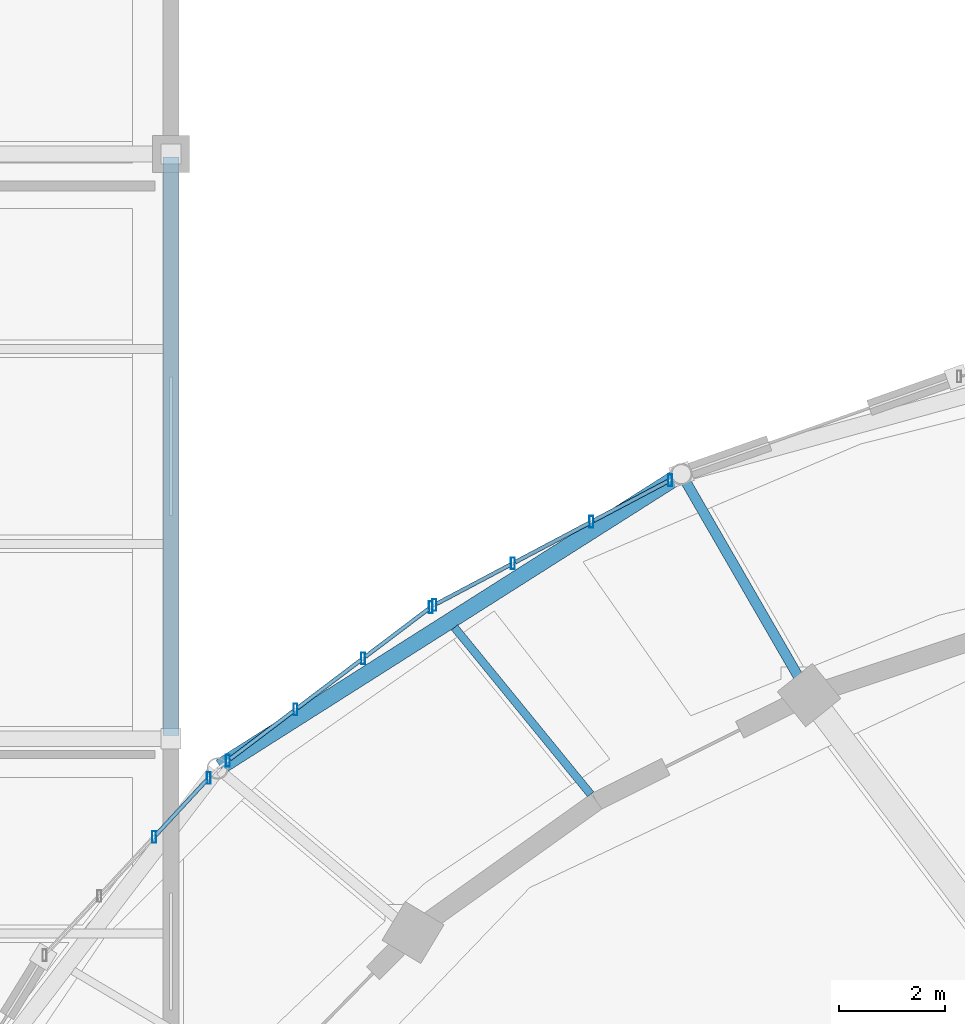
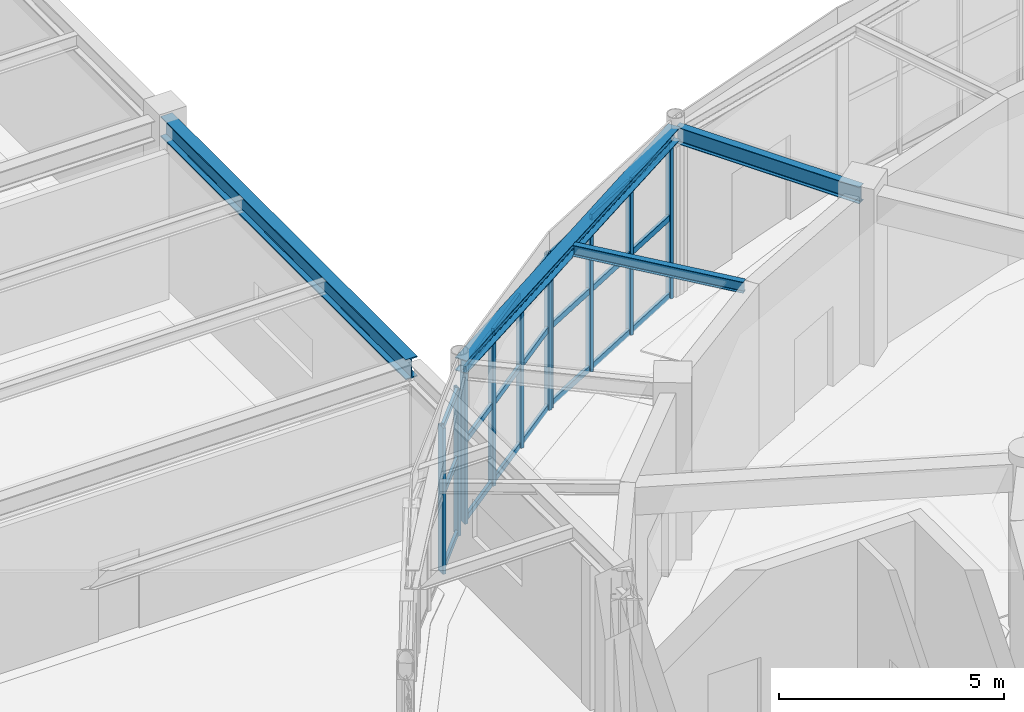
# One storey, part 51 of 108: 31 members, 4 beams, 3 elements without a shape of their own.
"""IFC4 building model written with IfcOpenShell, lengths in metres."""

from ifc_helpers import new_model, si_unit, direction, frame, origin, origin_2d, place, context, subcontext, project, spatial, hollow_rectangle, i_section, extrude, material, material_profile, profile_set, type_object, element, aggregate, save


model = new_model("IFC4")

# Units and contexts
model_context = context("Model", 3, precision=1e-05, world=origin(), true_north=direction((0.0, 1.0)))
body_context = subcontext(model_context, "Body", "Model", "MODEL_VIEW")
ifc_project = project(units=[si_unit("LENGTHUNIT", "METRE"), si_unit("AREAUNIT", "SQUARE_METRE"), si_unit("VOLUMEUNIT", "CUBIC_METRE"), si_unit("PLANEANGLEUNIT", "RADIAN"), si_unit("MASSUNIT", "GRAM", prefix="KILO")], contexts=[model_context])

# Site, building, storey
site_placement = place(None, origin())
site = spatial("IfcSite", under=ifc_project, at=site_placement, CompositionType="ELEMENT")
building_placement = place(site_placement, origin())
building = spatial("IfcBuilding", under=site, at=building_placement, Name="Tarnveldt Headland Concert Hall", CompositionType="ELEMENT")
storey_placement = place(building_placement, origin())
storey = spatial("IfcBuildingStorey", under=building, at=storey_placement, Name="L00", CompositionType="ELEMENT", Elevation=0.0)

# Curtain wall, members
ifc_material_1 = material(Name="Marine-anodised aluminium EN AW-6063-T6", Category="aluminium")
curtain_wall_type = type_object("IfcCurtainWallType", Name="CW-F1", PredefinedType="NOTDEFINED", material=ifc_material_1)
curtain_wall_1_placement = place(storey_placement, origin())
curtain_wall_1 = element("IfcCurtainWall", 1, at=curtain_wall_1_placement, inside=storey, type_object=curtain_wall_type, Name="Curtain wall CW-L00-010", PredefinedType="NOTDEFINED")
ifc_material_profile_1 = material_profile(ifc_material_1, hollow_rectangle(XDim=0.074951171875, YDim=0.219970703125, WallThickness=0.0048828125, at=origin_2d()), Name="ALU MULLION 75x220x5", Category="aluminium")
ifc_profile_set_1 = profile_set([ifc_material_profile_1], Name="Marine-anodised aluminium EN AW-6063-T6")
member_type_1 = type_object("IfcMemberType", Name="ML-200", PredefinedType="MULLION", material=ifc_profile_set_1)
member_1_placement = place(storey_placement, frame((66.885009765625, 75.863525390625, 0.0), z_axis=(0.0, 0.0, 1.0), x_axis=(1.0, 0.0, 0.0)))
member_1 = element("IfcMember", 2, at=member_1_placement, type_object=member_type_1, Name="Mullion CW-L00-010-1", PredefinedType="MULLION", context=body_context, shape_type="SweptSolid", body=[
    extrude(hollow_rectangle(XDim=0.074951171875, YDim=0.219970703125, WallThickness=0.0048828125, at=origin_2d()), origin(), (0.0, 0.0, 1.0), 4.139892578125),
])
member_2_placement = place(storey_placement, frame((65.407470703125, 75.081298828125, 0.0), z_axis=(0.0, 0.0, 1.0), x_axis=(1.0, 0.0, 0.0)))
member_2 = element("IfcMember", 3, at=member_2_placement, type_object=member_type_1, Name="Mullion CW-L00-010-2", PredefinedType="MULLION", context=body_context, shape_type="SweptSolid", body=[
    extrude(hollow_rectangle(XDim=0.074951171875, YDim=0.219970703125, WallThickness=0.0048828125, at=origin_2d()), origin(), (0.0, 0.0, 1.0), 4.139892578125),
])
member_3_placement = place(storey_placement, frame((63.9296875, 74.298828125, 0.0), z_axis=(0.0, 0.0, 1.0), x_axis=(1.0, 0.0, 0.0)))
member_3 = element("IfcMember", 4, at=member_3_placement, type_object=member_type_1, Name="Mullion CW-L00-010-3", PredefinedType="MULLION", context=body_context, shape_type="SweptSolid", body=[
    extrude(hollow_rectangle(XDim=0.074951171875, YDim=0.219970703125, WallThickness=0.0048828125, at=origin_2d()), origin(), (0.0, 0.0, 1.0), 4.139892578125),
])
member_4_placement = place(storey_placement, frame((62.451904296875, 73.5166015625, 0.0), z_axis=(0.0, 0.0, 1.0), x_axis=(1.0, 0.0, 0.0)))
member_4 = element("IfcMember", 5, at=member_4_placement, type_object=member_type_1, Name="Mullion CW-L00-010-4", PredefinedType="MULLION", context=body_context, shape_type="SweptSolid", body=[
    extrude(hollow_rectangle(XDim=0.074951171875, YDim=0.219970703125, WallThickness=0.0048828125, at=origin_2d()), origin(), (0.0, 0.0, 1.0), 4.139892578125),
])

curtain_wall_2_placement = place(storey_placement, origin())
curtain_wall_2 = element("IfcCurtainWall", 6, at=curtain_wall_2_placement, inside=storey, type_object=curtain_wall_type, Name="Curtain wall CW-L00-011", PredefinedType="NOTDEFINED")
member_5_placement = place(storey_placement, frame((62.384765625, 73.473876953125, 0.0), z_axis=(0.0, 0.0, 1.0), x_axis=(1.0, 0.0, 0.0)))
member_5 = element("IfcMember", 7, at=member_5_placement, type_object=member_type_1, Name="Mullion CW-L00-011-1", PredefinedType="MULLION", context=body_context, shape_type="SweptSolid", body=[
    extrude(hollow_rectangle(XDim=0.074951171875, YDim=0.219970703125, WallThickness=0.0048828125, at=origin_2d()), origin(), (0.0, 0.0, 1.0), 4.139892578125),
])
member_6_placement = place(storey_placement, frame((61.1123046875, 72.51171875, 0.0), z_axis=(0.0, 0.0, 1.0), x_axis=(1.0, 0.0, 0.0)))
member_6 = element("IfcMember", 8, at=member_6_placement, type_object=member_type_1, Name="Mullion CW-L00-011-2", PredefinedType="MULLION", context=body_context, shape_type="SweptSolid", body=[
    extrude(hollow_rectangle(XDim=0.074951171875, YDim=0.219970703125, WallThickness=0.0048828125, at=origin_2d()), origin(), (0.0, 0.0, 1.0), 4.139892578125),
])
member_7_placement = place(storey_placement, frame((59.840087890625, 71.5498046875, 0.0), z_axis=(0.0, 0.0, 1.0), x_axis=(1.0, 0.0, 0.0)))
member_7 = element("IfcMember", 9, at=member_7_placement, type_object=member_type_1, Name="Mullion CW-L00-011-3", PredefinedType="MULLION", context=body_context, shape_type="SweptSolid", body=[
    extrude(hollow_rectangle(XDim=0.074951171875, YDim=0.219970703125, WallThickness=0.0048828125, at=origin_2d()), origin(), (0.0, 0.0, 1.0), 4.139892578125),
])
member_8_placement = place(storey_placement, frame((58.567626953125, 70.587890625, 0.0), z_axis=(0.0, 0.0, 1.0), x_axis=(1.0, 0.0, 0.0)))
member_8 = element("IfcMember", 10, at=member_8_placement, type_object=member_type_1, Name="Mullion CW-L00-011-4", PredefinedType="MULLION", context=body_context, shape_type="SweptSolid", body=[
    extrude(hollow_rectangle(XDim=0.074951171875, YDim=0.219970703125, WallThickness=0.0048828125, at=origin_2d()), origin(), (0.0, 0.0, 1.0), 4.139892578125),
])

curtain_wall_3_placement = place(storey_placement, origin())
curtain_wall_3 = element("IfcCurtainWall", 11, at=curtain_wall_3_placement, inside=storey, type_object=curtain_wall_type, Name="Curtain wall CW-L00-012", PredefinedType="NOTDEFINED")
member_9_placement = place(storey_placement, frame((58.20849609375, 70.2626953125, 0.0), z_axis=(0.0, 0.0, 1.0), x_axis=(1.0, 0.0, 0.0)))
member_9 = element("IfcMember", 12, at=member_9_placement, type_object=member_type_1, Name="Mullion CW-L00-012-1", PredefinedType="MULLION", context=body_context, shape_type="SweptSolid", body=[
    extrude(hollow_rectangle(XDim=0.074951171875, YDim=0.219970703125, WallThickness=0.0048828125, at=origin_2d()), origin(), (0.0, 0.0, 1.0), 3.9580078125),
])
member_10_placement = place(storey_placement, frame((57.179443359375, 69.151611328125, 0.0), z_axis=(0.0, 0.0, 1.0), x_axis=(1.0, 0.0, 0.0)))
member_10 = element("IfcMember", 13, at=member_10_placement, type_object=member_type_1, Name="Mullion CW-L00-012-2", PredefinedType="MULLION", context=body_context, shape_type="SweptSolid", body=[
    extrude(hollow_rectangle(XDim=0.074951171875, YDim=0.219970703125, WallThickness=0.0048828125, at=origin_2d()), origin(), (0.0, 0.0, 1.0), 3.9580078125),
])

# Beams
ifc_material_2 = material(Name="Steel S355", Category="steel")
ifc_material_profile_2 = material_profile(ifc_material_2, i_section(OverallWidth=0.300048828125, OverallDepth=0.35009765625, WebThickness=0.010009765625, FlangeThickness=0.017578125, FilletRadius=0.027099609375, at=origin_2d()), Name="HEA360", Category="steel")
ifc_profile_set_2 = profile_set([ifc_material_profile_2], Name="Steel S355")
beam_type_1 = type_object("IfcBeamType", Name="SB-HEA360", PredefinedType="SPANDREL", material=ifc_profile_set_2)
beam_1_placement = place(storey_placement, frame((67.04931640625, 75.9453125, 4.344970703125), z_axis=(-0.844390967344, -0.535727444012, 0.0), x_axis=(0.535727444012, -0.844390967344, 0.0)))
element("IfcBeam", 14, at=beam_1_placement, inside=storey, type_object=beam_type_1, Name="Framing beam L00-365", PredefinedType="SPANDREL", context=body_context, shape_type="SweptSolid", body=[
    extrude(i_section(OverallWidth=0.300048828125, OverallDepth=0.35009765625, WebThickness=0.010009765625, FlangeThickness=0.017578125, FilletRadius=0.027099609375, at=origin_2d()), origin(), (0.0, 0.0, 1.0), 10.21435546875),
])
ifc_material_profile_3 = material_profile(ifc_material_2, i_section(OverallWidth=0.300048828125, OverallDepth=0.550048828125, WebThickness=0.014892578125, FlangeThickness=0.029052734375, FilletRadius=0.027099609375, at=origin_2d()), Name="HEB550", Category="steel")
ifc_profile_set_3 = profile_set([ifc_material_profile_3], Name="Steel S355")
beam_type_2 = type_object("IfcBeamType", Name="SB-HEB550", PredefinedType="BEAM", material=ifc_profile_set_3)
beam_2_placement = place(storey_placement, frame((57.5, 71.06005859375, 4.2451171875), z_axis=(0.0, 1.0, 0.0), x_axis=(-1.0, 0.0, 0.0)))
element("IfcBeam", 15, at=beam_2_placement, inside=storey, type_object=beam_type_2, Name="Framing beam L00-673", PredefinedType="BEAM", context=body_context, shape_type="SweptSolid", body=[
    extrude(i_section(OverallWidth=0.300048828125, OverallDepth=0.550048828125, WebThickness=0.014892578125, FlangeThickness=0.029052734375, FilletRadius=0.027099609375, at=origin_2d()), origin(), (0.0, 0.0, 1.0), 10.8798828125),
])
ifc_material_profile_4 = material_profile(ifc_material_2, i_section(OverallWidth=0.14990234375, OverallDepth=0.300048828125, WebThickness=0.007080078125, FlangeThickness=0.0107421875, FilletRadius=0.014892578125, at=origin_2d()), Name="IPE300", Category="steel")
ifc_profile_set_4 = profile_set([ifc_material_profile_4], Name="Steel S355")
beam_type_3 = type_object("IfcBeamType", Name="SB-IPE300", PredefinedType="JOIST", material=ifc_profile_set_4)
beam_3_placement = place(storey_placement, frame((65.391357421875, 69.95654296875, 4.3701171875), z_axis=(-0.632291553532, 0.774730528205, 0.0), x_axis=(-0.774730528205, -0.632291553532, 0.0)))
element("IfcBeam", 16, at=beam_3_placement, inside=storey, type_object=beam_type_3, Name="Framing beam L00-367", PredefinedType="JOIST", context=body_context, shape_type="SweptSolid", body=[
    extrude(i_section(OverallWidth=0.14990234375, OverallDepth=0.300048828125, WebThickness=0.007080078125, FlangeThickness=0.0107421875, FilletRadius=0.014892578125, at=origin_2d()), origin(), (0.0, 0.0, 1.0), 4.048583984375),
])
ifc_material_profile_5 = material_profile(ifc_material_2, i_section(OverallWidth=0.18994140625, OverallDepth=0.449951171875, WebThickness=0.009521484375, FlangeThickness=0.0146484375, FilletRadius=0.02099609375, at=origin_2d()), Name="IPE450", Category="steel")
ifc_profile_set_5 = profile_set([ifc_material_profile_5], Name="Steel S355")
beam_type_4 = type_object("IfcBeamType", Name="SB-IPE450", PredefinedType="BEAM", material=ifc_profile_set_5)
beam_4_placement = place(storey_placement, frame((69.47998046875, 71.85498046875, 4.294921875), z_axis=(-0.500016218704, 0.866016039709, 0.0), x_axis=(-0.866016039709, -0.500016218704, 0.0)))
element("IfcBeam", 17, at=beam_4_placement, inside=storey, type_object=beam_type_4, Name="Framing beam L00-366", PredefinedType="BEAM", context=body_context, shape_type="SweptSolid", body=[
    extrude(i_section(OverallWidth=0.18994140625, OverallDepth=0.449951171875, WebThickness=0.009521484375, FlangeThickness=0.0146484375, FilletRadius=0.02099609375, at=origin_2d()), origin(), (0.0, 0.0, 1.0), 4.699951171875),
])

# Member
ifc_material_profile_6 = material_profile(ifc_material_1, hollow_rectangle(XDim=0.074951171875, YDim=0.159912109375, WallThickness=0.00390625, at=origin_2d()), Name="ALU TRANSOM 75x160x4", Category="aluminium")
ifc_profile_set_6 = profile_set([ifc_material_profile_6], Name="Marine-anodised aluminium EN AW-6063-T6")
member_type_2 = type_object("IfcMemberType", Name="TR-160", PredefinedType="MEMBER", material=ifc_profile_set_6)
member_11_placement = place(storey_placement, frame((66.84130859375, 75.84033203125, 0.050048828125), z_axis=(-0.883818119323, -0.467830665901, 0.0), x_axis=(0.467830665901, -0.883818119323, 0.0)))
member_11 = element("IfcMember", 18, at=member_11_placement, type_object=member_type_2, Name="Transom CW-L00-010-1-1", PredefinedType="MEMBER", context=body_context, shape_type="SweptSolid", body=[
    extrude(hollow_rectangle(XDim=0.074951171875, YDim=0.159912109375, WallThickness=0.00390625, at=origin_2d()), origin(), (0.0, 0.0, 1.0), 1.572998046875),
])

member_12_placement = place(storey_placement, frame((66.84130859375, 75.84033203125, 2.15283203125), z_axis=(-0.883818119323, -0.467830665901, 0.0), x_axis=(0.467830665901, -0.883818119323, 0.0)))
member_12 = element("IfcMember", 19, at=member_12_placement, type_object=member_type_2, Name="Transom CW-L00-010-1-2", PredefinedType="MEMBER", context=body_context, shape_type="SweptSolid", body=[
    extrude(hollow_rectangle(XDim=0.074951171875, YDim=0.159912109375, WallThickness=0.00390625, at=origin_2d()), origin(), (0.0, 0.0, 1.0), 1.572998046875),
])

member_13_placement = place(storey_placement, frame((66.84130859375, 75.84033203125, 4.090087890625), z_axis=(-0.883818119323, -0.467830665901, 0.0), x_axis=(0.467830665901, -0.883818119323, 0.0)))
member_13 = element("IfcMember", 20, at=member_13_placement, type_object=member_type_2, Name="Transom CW-L00-010-1-3", PredefinedType="MEMBER", context=body_context, shape_type="SweptSolid", body=[
    extrude(hollow_rectangle(XDim=0.074951171875, YDim=0.159912109375, WallThickness=0.00390625, at=origin_2d()), origin(), (0.0, 0.0, 1.0), 1.572998046875),
])

member_14_placement = place(storey_placement, frame((65.36376953125, 75.05810546875, 0.050048828125), z_axis=(-0.883787916347, -0.467887720419, 0.0), x_axis=(0.467887720419, -0.883787916347, 0.0)))
member_14 = element("IfcMember", 21, at=member_14_placement, type_object=member_type_2, Name="Transom CW-L00-010-2-1", PredefinedType="MEMBER", context=body_context, shape_type="SweptSolid", body=[
    extrude(hollow_rectangle(XDim=0.074951171875, YDim=0.159912109375, WallThickness=0.00390625, at=origin_2d()), origin(), (0.0, 0.0, 1.0), 1.5732421875),
])

member_15_placement = place(storey_placement, frame((65.36376953125, 75.05810546875, 2.15283203125), z_axis=(-0.883787916347, -0.467887720419, 0.0), x_axis=(0.467887720419, -0.883787916347, 0.0)))
member_15 = element("IfcMember", 22, at=member_15_placement, type_object=member_type_2, Name="Transom CW-L00-010-2-2", PredefinedType="MEMBER", context=body_context, shape_type="SweptSolid", body=[
    extrude(hollow_rectangle(XDim=0.074951171875, YDim=0.159912109375, WallThickness=0.00390625, at=origin_2d()), origin(), (0.0, 0.0, 1.0), 1.5732421875),
])

member_16_placement = place(storey_placement, frame((65.36376953125, 75.05810546875, 4.090087890625), z_axis=(-0.883787916347, -0.467887720419, 0.0), x_axis=(0.467887720419, -0.883787916347, 0.0)))
member_16 = element("IfcMember", 23, at=member_16_placement, type_object=member_type_2, Name="Transom CW-L00-010-2-3", PredefinedType="MEMBER", context=body_context, shape_type="SweptSolid", body=[
    extrude(hollow_rectangle(XDim=0.074951171875, YDim=0.159912109375, WallThickness=0.00390625, at=origin_2d()), origin(), (0.0, 0.0, 1.0), 1.5732421875),
])

member_17_placement = place(storey_placement, frame((63.885986328125, 74.27587890625, 0.050048828125), z_axis=(-0.883787916347, -0.467887720419, 0.0), x_axis=(0.467887720419, -0.883787916347, 0.0)))
member_17 = element("IfcMember", 24, at=member_17_placement, type_object=member_type_2, Name="Transom CW-L00-010-3-1", PredefinedType="MEMBER", context=body_context, shape_type="SweptSolid", body=[
    extrude(hollow_rectangle(XDim=0.074951171875, YDim=0.159912109375, WallThickness=0.00390625, at=origin_2d()), origin(), (0.0, 0.0, 1.0), 1.5732421875),
])

member_18_placement = place(storey_placement, frame((63.885986328125, 74.27587890625, 2.15283203125), z_axis=(-0.883787916347, -0.467887720419, 0.0), x_axis=(0.467887720419, -0.883787916347, 0.0)))
member_18 = element("IfcMember", 25, at=member_18_placement, type_object=member_type_2, Name="Transom CW-L00-010-3-2", PredefinedType="MEMBER", context=body_context, shape_type="SweptSolid", body=[
    extrude(hollow_rectangle(XDim=0.074951171875, YDim=0.159912109375, WallThickness=0.00390625, at=origin_2d()), origin(), (0.0, 0.0, 1.0), 1.5732421875),
])

member_19_placement = place(storey_placement, frame((63.885986328125, 74.27587890625, 4.090087890625), z_axis=(-0.883787916347, -0.467887720419, 0.0), x_axis=(0.467887720419, -0.883787916347, 0.0)))
member_19 = element("IfcMember", 26, at=member_19_placement, type_object=member_type_2, Name="Transom CW-L00-010-3-3", PredefinedType="MEMBER", context=body_context, shape_type="SweptSolid", body=[
    extrude(hollow_rectangle(XDim=0.074951171875, YDim=0.159912109375, WallThickness=0.00390625, at=origin_2d()), origin(), (0.0, 0.0, 1.0), 1.5732421875),
])

aggregate(curtain_wall_1, [member_1, member_2, member_3, member_4, member_11, member_12, member_13, member_14, member_15, member_16, member_17, member_18, member_19])

member_20_placement = place(storey_placement, frame((62.34521484375, 73.44384765625, 0.050048828125), z_axis=(-0.797722519103, -0.603024694781, 0.0), x_axis=(0.603024694781, -0.797722519103, 0.0)))
member_20 = element("IfcMember", 27, at=member_20_placement, type_object=member_type_2, Name="Transom CW-L00-011-1-1", PredefinedType="MEMBER", context=body_context, shape_type="SweptSolid", body=[
    extrude(hollow_rectangle(XDim=0.074951171875, YDim=0.159912109375, WallThickness=0.00390625, at=origin_2d()), origin(), (0.0, 0.0, 1.0), 1.495849609375),
])

member_21_placement = place(storey_placement, frame((62.34521484375, 73.44384765625, 2.15283203125), z_axis=(-0.797722519103, -0.603024694781, 0.0), x_axis=(0.603024694781, -0.797722519103, 0.0)))
member_21 = element("IfcMember", 28, at=member_21_placement, type_object=member_type_2, Name="Transom CW-L00-011-1-2", PredefinedType="MEMBER", context=body_context, shape_type="SweptSolid", body=[
    extrude(hollow_rectangle(XDim=0.074951171875, YDim=0.159912109375, WallThickness=0.00390625, at=origin_2d()), origin(), (0.0, 0.0, 1.0), 1.495849609375),
])

member_22_placement = place(storey_placement, frame((62.34521484375, 73.44384765625, 4.090087890625), z_axis=(-0.797722519103, -0.603024694781, 0.0), x_axis=(0.603024694781, -0.797722519103, 0.0)))
member_22 = element("IfcMember", 29, at=member_22_placement, type_object=member_type_2, Name="Transom CW-L00-011-1-3", PredefinedType="MEMBER", context=body_context, shape_type="SweptSolid", body=[
    extrude(hollow_rectangle(XDim=0.074951171875, YDim=0.159912109375, WallThickness=0.00390625, at=origin_2d()), origin(), (0.0, 0.0, 1.0), 1.495849609375),
])

member_23_placement = place(storey_placement, frame((61.072998046875, 72.48193359375, 0.050048828125), z_axis=(-0.797703362138, -0.603050036094, 0.0), x_axis=(0.603050036094, -0.797703362138, 0.0)))
member_23 = element("IfcMember", 30, at=member_23_placement, type_object=member_type_2, Name="Transom CW-L00-011-2-1", PredefinedType="MEMBER", context=body_context, shape_type="SweptSolid", body=[
    extrude(hollow_rectangle(XDim=0.074951171875, YDim=0.159912109375, WallThickness=0.00390625, at=origin_2d()), origin(), (0.0, 0.0, 1.0), 1.496337890625),
])

member_24_placement = place(storey_placement, frame((61.072998046875, 72.48193359375, 2.15283203125), z_axis=(-0.797703362138, -0.603050036094, 0.0), x_axis=(0.603050036094, -0.797703362138, 0.0)))
member_24 = element("IfcMember", 31, at=member_24_placement, type_object=member_type_2, Name="Transom CW-L00-011-2-2", PredefinedType="MEMBER", context=body_context, shape_type="SweptSolid", body=[
    extrude(hollow_rectangle(XDim=0.074951171875, YDim=0.159912109375, WallThickness=0.00390625, at=origin_2d()), origin(), (0.0, 0.0, 1.0), 1.496337890625),
])

member_25_placement = place(storey_placement, frame((61.072998046875, 72.48193359375, 4.090087890625), z_axis=(-0.797703362138, -0.603050036094, 0.0), x_axis=(0.603050036094, -0.797703362138, 0.0)))
member_25 = element("IfcMember", 32, at=member_25_placement, type_object=member_type_2, Name="Transom CW-L00-011-2-3", PredefinedType="MEMBER", context=body_context, shape_type="SweptSolid", body=[
    extrude(hollow_rectangle(XDim=0.074951171875, YDim=0.159912109375, WallThickness=0.00390625, at=origin_2d()), origin(), (0.0, 0.0, 1.0), 1.496337890625),
])

member_26_placement = place(storey_placement, frame((59.800537109375, 71.52001953125, 0.050048828125), z_axis=(-0.797644013211, -0.603128533721, 0.0), x_axis=(0.603128533721, -0.797644013211, 0.0)))
member_26 = element("IfcMember", 33, at=member_26_placement, type_object=member_type_2, Name="Transom CW-L00-011-3-1", PredefinedType="MEMBER", context=body_context, shape_type="SweptSolid", body=[
    extrude(hollow_rectangle(XDim=0.074951171875, YDim=0.159912109375, WallThickness=0.00390625, at=origin_2d()), origin(), (0.0, 0.0, 1.0), 1.49609375),
])

member_27_placement = place(storey_placement, frame((59.800537109375, 71.52001953125, 2.15283203125), z_axis=(-0.797644013211, -0.603128533721, 0.0), x_axis=(0.603128533721, -0.797644013211, 0.0)))
member_27 = element("IfcMember", 34, at=member_27_placement, type_object=member_type_2, Name="Transom CW-L00-011-3-2", PredefinedType="MEMBER", context=body_context, shape_type="SweptSolid", body=[
    extrude(hollow_rectangle(XDim=0.074951171875, YDim=0.159912109375, WallThickness=0.00390625, at=origin_2d()), origin(), (0.0, 0.0, 1.0), 1.49609375),
])

member_28_placement = place(storey_placement, frame((59.800537109375, 71.52001953125, 4.090087890625), z_axis=(-0.797644013211, -0.603128533721, 0.0), x_axis=(0.603128533721, -0.797644013211, 0.0)))
member_28 = element("IfcMember", 35, at=member_28_placement, type_object=member_type_2, Name="Transom CW-L00-011-3-3", PredefinedType="MEMBER", context=body_context, shape_type="SweptSolid", body=[
    extrude(hollow_rectangle(XDim=0.074951171875, YDim=0.159912109375, WallThickness=0.00390625, at=origin_2d()), origin(), (0.0, 0.0, 1.0), 1.49609375),
])

aggregate(curtain_wall_2, [member_5, member_6, member_7, member_8, member_20, member_21, member_22, member_23, member_24, member_25, member_26, member_27, member_28])

member_29_placement = place(storey_placement, frame((58.1748046875, 70.226318359375, 0.050048828125), z_axis=(-0.679504344073, -0.733671483966, 0.0), x_axis=(0.733671483966, -0.679504344073, 0.0)))
member_29 = element("IfcMember", 36, at=member_29_placement, type_object=member_type_2, Name="Transom CW-L00-012-1-1", PredefinedType="MEMBER", context=body_context, shape_type="SweptSolid", body=[
    extrude(hollow_rectangle(XDim=0.074951171875, YDim=0.159912109375, WallThickness=0.00390625, at=origin_2d()), origin(), (0.0, 0.0, 1.0), 1.415283203125),
])

member_30_placement = place(storey_placement, frame((58.1748046875, 70.226318359375, 2.05810546875), z_axis=(-0.679504344073, -0.733671483966, 0.0), x_axis=(0.733671483966, -0.679504344073, 0.0)))
member_30 = element("IfcMember", 37, at=member_30_placement, type_object=member_type_2, Name="Transom CW-L00-012-1-2", PredefinedType="MEMBER", context=body_context, shape_type="SweptSolid", body=[
    extrude(hollow_rectangle(XDim=0.074951171875, YDim=0.159912109375, WallThickness=0.00390625, at=origin_2d()), origin(), (0.0, 0.0, 1.0), 1.415283203125),
])

member_31_placement = place(storey_placement, frame((58.1748046875, 70.226318359375, 3.907958984375), z_axis=(-0.679504344073, -0.733671483966, 0.0), x_axis=(0.733671483966, -0.679504344073, 0.0)))
member_31 = element("IfcMember", 38, at=member_31_placement, type_object=member_type_2, Name="Transom CW-L00-012-1-3", PredefinedType="MEMBER", context=body_context, shape_type="SweptSolid", body=[
    extrude(hollow_rectangle(XDim=0.074951171875, YDim=0.159912109375, WallThickness=0.00390625, at=origin_2d()), origin(), (0.0, 0.0, 1.0), 1.415283203125),
])

aggregate(curtain_wall_3, [member_9, member_10, member_29, member_30, member_31])

save(model, "model.ifc")
